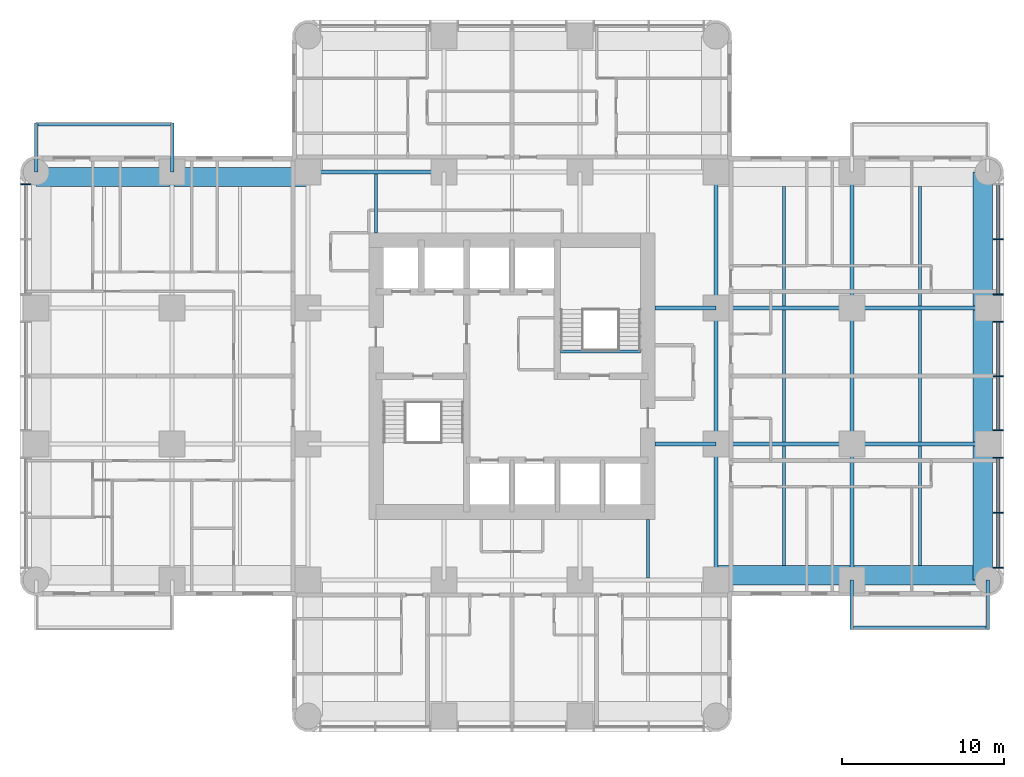
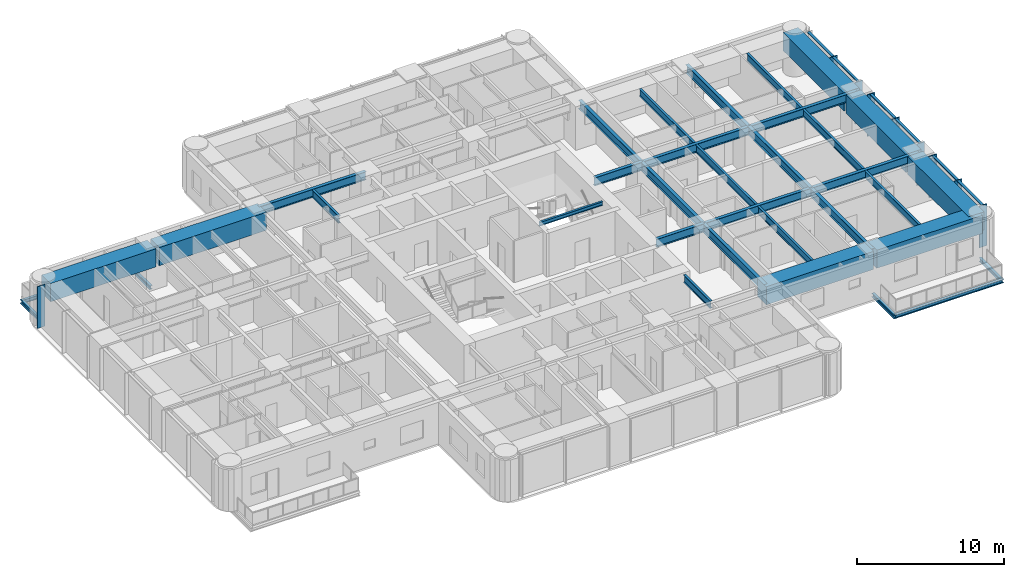
# One storey, part 3 of 14: 35 beams, 15 members, 2 elements without a shape of their own.
"""IFC4 building model written with IfcOpenShell, lengths in metres."""

import ifcopenshell
import ifcopenshell.guid

model = None  # the IFC model being written
_history = None  # IfcOwnerHistory: only IFC2X3 demands one
_inside = {}  # id of a spatial element -> (the spatial element, [elements in it])
_under = {}  # id of a project, library or spatial element -> (it, [spatial elements below it])
_declared = {}  # id of a project -> (the project, [libraries it declares])
_typed = {}  # id of a type object -> (the type object, [elements of that type])
_made_of = {}  # id of a material, layer set ... -> (it, [elements and type objects made of it])


def new_model(schema):
    """Start an empty IFC model of exactly this schema.

    Asked for "IFC4X3", IfcOpenShell would pick the latest addendum, in which some entities
    have other attributes; the version numbers below select the first issue.
    IFC2X3 requires an IfcOwnerHistory on every rooted entity: one is made here for all.
    """
    global model, _history
    if schema == "IFC4X3":
        model = ifcopenshell.file(schema_version=(4, 3, 0, 0))
    else:
        model = ifcopenshell.file(schema=schema)
    _inside.clear()
    _under.clear()
    _declared.clear()
    _typed.clear()
    _made_of.clear()
    _history = None
    if model.schema == "IFC2X3":
        org = make("IfcOrganization", Name="unknown")
        user = make(
            "IfcPersonAndOrganization",
            ThePerson=make("IfcPerson", FamilyName="unknown"),
            TheOrganization=org,
        )
        app = make(
            "IfcApplication",
            ApplicationDeveloper=org,
            Version="unknown",
            ApplicationFullName="unknown",
            ApplicationIdentifier="unknown",
        )
        _history = make(
            "IfcOwnerHistory",
            OwningUser=user,
            OwningApplication=app,
            ChangeAction="ADDED",
            CreationDate=0,
        )
    return model


def make(cls, **values):
    """One entity of the class cls with the attributes given. An attribute that is None is left unset."""
    return model.create_entity(
        cls, **{name: value for name, value in values.items() if value is not None}
    )


def rooted(cls, **values):
    """An entity with a GlobalId (a new one), such as an element, a storey or a relation."""
    return make(cls, GlobalId=ifcopenshell.guid.new(), OwnerHistory=_history, **values)


def si_unit(unit_type, name, prefix=None):
    """IfcSIUnit, for example si_unit("LENGTHUNIT", "METRE", prefix="MILLI")."""
    return make("IfcSIUnit", UnitType=unit_type, Prefix=prefix, Name=name)


def assignment(units):
    """IfcUnitAssignment: the units of a project."""
    return None if units is None else make("IfcUnitAssignment", Units=units)


def point(xyz):
    """IfcCartesianPoint."""
    return None if xyz is None else make("IfcCartesianPoint", Coordinates=xyz)


def direction(xyz):
    """IfcDirection."""
    return None if xyz is None else make("IfcDirection", DirectionRatios=xyz)


def frame(location, z_axis=None, x_axis=None):
    """IfcAxis2Placement3D, a coordinate frame: its origin and axes. An axis left out is left unset."""
    return make(
        "IfcAxis2Placement3D",
        Location=point(location),
        Axis=direction(z_axis),
        RefDirection=direction(x_axis),
    )


def frame_2d(location, x_axis=None):
    """IfcAxis2Placement2D, a coordinate frame in the plane: its origin and x axis."""
    return make(
        "IfcAxis2Placement2D", Location=point(location), RefDirection=direction(x_axis)
    )


def origin():
    """The frame at (0, 0, 0) with its axes left unset."""
    return frame((0.0, 0.0, 0.0))


def origin_2d():
    """The frame at (0, 0) in the plane with its x axis left unset."""
    return frame_2d((0.0, 0.0))


def place(relative_to, where):
    """IfcLocalPlacement: puts the frame where relative to a parent placement (None: the world)."""
    return make(
        "IfcLocalPlacement", PlacementRelTo=relative_to, RelativePlacement=where
    )


def context(
    kind, dimensions, precision=None, world=None, true_north=None, identifier=None
):
    """IfcGeometricRepresentationContext, for example the 3D "Model" context."""
    return make(
        "IfcGeometricRepresentationContext",
        ContextIdentifier=identifier,
        ContextType=kind,
        CoordinateSpaceDimension=dimensions,
        Precision=precision,
        WorldCoordinateSystem=world,
        TrueNorth=true_north,
    )


def subcontext(parent, identifier, kind, view, scale=None):
    """IfcGeometricRepresentationSubContext, for example "Body" below "Model"."""
    return make(
        "IfcGeometricRepresentationSubContext",
        ContextIdentifier=identifier,
        ContextType=kind,
        ParentContext=parent,
        TargetScale=scale,
        TargetView=view,
    )


def project(units=None, contexts=None):
    """IfcProject with its units and contexts."""
    return rooted(
        "IfcProject",
        Name="project",
        RepresentationContexts=contexts,
        UnitsInContext=assignment(units),
    )


def spatial(cls, under=None, at=None, **own):
    """A site, building, storey or space (cls), placed at a placement, below another one or the project."""
    s = rooted(cls, ObjectPlacement=at, **own)
    if under is not None:
        _under.setdefault(under.id(), (under, []))[1].append(s)
    return s


def profile(cls, at=None, kind="AREA", **sizes):
    """A parametric profile (cls). Its sizes go by their IFC names, for example OverallWidth=200.0."""
    return make(cls, ProfileType=kind, Position=at, **sizes)


def rectangle(**sizes):
    """IfcRectangleProfileDef."""
    return profile("IfcRectangleProfileDef", **sizes)


def i_section(**sizes):
    """IfcIShapeProfileDef."""
    return profile("IfcIShapeProfileDef", **sizes)


def extrude(swept, where, along, depth):
    """IfcExtrudedAreaSolid: the profile swept, set in the frame where, extruded along a direction by depth."""
    return make(
        "IfcExtrudedAreaSolid",
        SweptArea=swept,
        Position=where,
        ExtrudedDirection=direction(along),
        Depth=depth,
    )


def shape(context_of_items, identifier, shape_type, items):
    """IfcShapeRepresentation: the items that make up one representation, for example the "Body"."""
    return make(
        "IfcShapeRepresentation",
        ContextOfItems=context_of_items,
        RepresentationIdentifier=identifier,
        RepresentationType=shape_type,
        Items=items,
    )


def material(Name=None, Category=None):
    """IfcMaterial."""
    return make("IfcMaterial", Name=Name, Category=Category)


def material_profile(
    of_material, cross_section, Name=None, Category=None, Priority=None
):
    """IfcMaterialProfile: a cross section and its material."""
    return make(
        "IfcMaterialProfile",
        Name=Name,
        Material=of_material,
        Profile=cross_section,
        Priority=Priority,
        Category=Category,
    )


def profile_set(profiles, Name=None, composite=None):
    """IfcMaterialProfileSet."""
    return make(
        "IfcMaterialProfileSet",
        Name=Name,
        MaterialProfiles=profiles,
        CompositeProfile=composite,
    )


def made_of(thing, what):
    """Note that an element or type object is made of a material, layer set ...; save() writes the relation."""
    if what is not None:
        _made_of.setdefault(what.id(), (what, []))[1].append(thing)
    return thing


def type_object(cls, material=None, **own):
    """A type object (cls), such as IfcWallType, which elements share."""
    return made_of(rooted(cls, **own), material)


def element(
    cls,
    number,
    at=None,
    inside=None,
    cuts=None,
    type_object=None,
    material=None,
    context=None,
    identifier="Body",
    shape_type=None,
    held_by="IfcProductDefinitionShape",
    body=None,
    shapes=None,
    **own,
):
    """One element of the class cls, such as IfcWall. Its Tag is "e" and its number.

    at: its placement. inside: the storey or other place that contains it. cuts: it is an
    opening in that element (IfcRelVoidsElement). A single representation is given by context,
    identifier, shape_type and body (its items); several are given by shapes. held_by: the class
    of the entity that holds the representations. save() writes the other relations.
    """
    e = rooted(cls, Tag="e%d" % number, ObjectPlacement=at, **own)
    if body is not None:
        shapes = [shape(context, identifier, shape_type, body)]
    if shapes is not None:
        e.Representation = make(held_by, Representations=shapes)
    if inside is not None:
        _inside.setdefault(inside.id(), (inside, []))[1].append(e)
    if cuts is not None:
        rooted(
            "IfcRelVoidsElement", RelatingBuildingElement=cuts, RelatedOpeningElement=e
        )
    if type_object is not None:
        _typed.setdefault(type_object.id(), (type_object, []))[1].append(e)
    return made_of(e, material)


def aggregate(whole, parts):
    """IfcRelAggregates: a whole, such as a stair, and the parts it consists of."""
    return rooted("IfcRelAggregates", RelatingObject=whole, RelatedObjects=parts)


def save(model, path):
    """Write the relations noted so far, then the file.

    IfcRelAggregates (storeys below a building ...), IfcRelContainedInSpatialStructure (elements
    in a storey), IfcRelDefinesByType, IfcRelAssociatesMaterial and IfcRelDeclares: one each for
    every whole, place, type object, material and project.
    """
    for whole, parts in _under.values():
        aggregate(whole, parts)
    for where, things in _inside.values():
        rooted(
            "IfcRelContainedInSpatialStructure",
            RelatedElements=things,
            RelatingStructure=where,
        )
    for kind, things in _typed.values():
        rooted("IfcRelDefinesByType", RelatedObjects=things, RelatingType=kind)
    for what, things in _made_of.values():
        rooted("IfcRelAssociatesMaterial", RelatedObjects=things, RelatingMaterial=what)
    for by, libraries in _declared.values():
        rooted("IfcRelDeclares", RelatingContext=by, RelatedDefinitions=libraries)
    model.write(path)


model = new_model("IFC4")

# Units and contexts
model_context = context("Model", 3, precision=1e-05, world=origin(), true_north=direction((0.0, 1.0)))
body_context = subcontext(model_context, "Body", "Model", "MODEL_VIEW")
ifc_project = project(units=[si_unit("LENGTHUNIT", "METRE"), si_unit("AREAUNIT", "SQUARE_METRE"), si_unit("VOLUMEUNIT", "CUBIC_METRE"), si_unit("PLANEANGLEUNIT", "RADIAN"), si_unit("MASSUNIT", "GRAM", prefix="KILO")], contexts=[model_context])

# Site, building, storey
site_placement = place(None, origin())
site = spatial("IfcSite", under=ifc_project, at=site_placement, CompositionType="ELEMENT")
building_placement = place(site_placement, origin())
building = spatial("IfcBuilding", under=site, at=building_placement, Name="Torre Alcanfor", CompositionType="ELEMENT")
storey_placement = place(building_placement, frame((0.0, 0.0, 159.300048828125)))
storey = spatial("IfcBuildingStorey", under=building, at=storey_placement, Name="L41", CompositionType="ELEMENT", Elevation=159.300048828125)

# Beams
ifc_material_1 = material(Name="Steel ASTM A992 Grade 50", Category="steel")
ifc_material_profile_1 = material_profile(ifc_material_1, i_section(OverallWidth=0.205322265625, OverallDepth=0.309814453125, WebThickness=0.00927734375, FlangeThickness=0.016357421875, at=origin_2d()), Name="W12x50")
ifc_profile_set_1 = profile_set([ifc_material_profile_1], Name="Steel ASTM A992 Grade 50")
beam_type_1 = type_object("IfcBeamType", Name="Balcony cantilever beam W12x50", PredefinedType="BEAM", material=ifc_profile_set_1)
for number, where, z_axis, x_axis, name in (
    (1, (50.39990234375, 16.800048828125, -0.35498046875), (0.0, -1.0, 0.0), (1.0, 0.0, 0.0), "Balcony cantilever beam L41-E2 1"),
    (2, (58.800048828125, 16.800048828125, -0.35498046875), (0.0, -1.0, 0.0), (1.0, 0.0, 0.0), "Balcony cantilever beam L41-E2 2"),
    (3, (8.39990234375, 42.0, -0.35498046875), (0.0, 1.0, 0.0), (-1.0, 0.0, 0.0), "Balcony cantilever beam L41-W2 1"),
    (4, (0.0, 42.0, -0.35498046875), (0.0, 1.0, 0.0), (-1.0, 0.0, 0.0), "Balcony cantilever beam L41-W2 2"),
):
    element("IfcBeam", number, at=place(storey_placement, frame(where, z_axis=z_axis, x_axis=x_axis)), inside=storey, type_object=beam_type_1, Name=name, PredefinedType="BEAM", context=body_context, shape_type="SweptSolid", body=[
        extrude(i_section(OverallWidth=0.205322265625, OverallDepth=0.309814453125, WebThickness=0.00927734375, FlangeThickness=0.016357421875, at=origin_2d()), origin(), (0.0, 0.0, 1.0), 3.050048828125),
    ])
ifc_material_2 = material(Name="Steel ASTM A992 Grade 50", Category="steel")
ifc_material_profile_2 = material_profile(ifc_material_2, i_section(OverallWidth=0.203369140625, OverallDepth=0.30224609375, WebThickness=0.007568359375, FlangeThickness=0.01318359375, at=origin_2d()), Name="W12x40")
ifc_profile_set_2 = profile_set([ifc_material_profile_2], Name="Steel ASTM A992 Grade 50")
beam_type_2 = type_object("IfcBeamType", Name="Balcony edge trimmer W12x40", PredefinedType="BEAM", material=ifc_profile_set_2)
beam_1_placement = place(storey_placement, frame((50.39990234375, 13.851806640625, -0.35107421875), z_axis=(1.0, 0.0, 0.0), x_axis=(0.0, 1.0, 0.0)))
element("IfcBeam", 5, at=beam_1_placement, inside=storey, type_object=beam_type_2, Name="Balcony edge trimmer L41-E2", PredefinedType="BEAM", context=body_context, shape_type="SweptSolid", body=[
    extrude(i_section(OverallWidth=0.203369140625, OverallDepth=0.30224609375, WebThickness=0.007568359375, FlangeThickness=0.01318359375, at=origin_2d()), origin(), (0.0, 0.0, 1.0), 8.400146484375),
])
beam_2_placement = place(storey_placement, frame((8.39990234375, 44.9482421875, -0.35107421875), z_axis=(-1.0, 0.0, 0.0), x_axis=(0.0, -1.0, 0.0)))
element("IfcBeam", 6, at=beam_2_placement, inside=storey, type_object=beam_type_2, Name="Balcony edge trimmer L41-W2", PredefinedType="BEAM", context=body_context, shape_type="SweptSolid", body=[
    extrude(i_section(OverallWidth=0.203369140625, OverallDepth=0.30224609375, WebThickness=0.007568359375, FlangeThickness=0.01318359375, at=origin_2d()), origin(), (0.0, 0.0, 1.0), 8.39990234375),
])

# Curtain wall, member
ifc_material_3 = material(Name="Aluminium and glass", Category="aluminium")
curtain_wall_type = type_object("IfcCurtainWallType", Name="CW-A unitised apartment glazing with vertical FIN", PredefinedType="NOTDEFINED", material=ifc_material_3)
curtain_wall_1_placement = place(storey_placement, origin())
curtain_wall_1 = element("IfcCurtainWall", 7, at=curtain_wall_1_placement, inside=storey, type_object=curtain_wall_type, Name="Curtain wall CW-A L41 2", PredefinedType="NOTDEFINED")
ifc_material_4 = material(Name="Bronze anodised aluminium", Category="aluminium")
ifc_material_profile_3 = material_profile(ifc_material_4, rectangle(XDim=0.60009765625, YDim=0.06494140625, at=origin_2d()), Name="CW-A mullion 65x600")
ifc_profile_set_3 = profile_set([ifc_material_profile_3], Name="Bronze anodised aluminium")
member_type_1 = type_object("IfcMemberType", Name="CW-A mullion with vertical FIN 65x600", PredefinedType="MULLION", material=ifc_profile_set_3)
member_1_placement = place(storey_placement, frame((-0.64990234375, 41.24267578125, 0.0), z_axis=(0.0, 0.0, 1.0), x_axis=(1.0, 0.0, 0.0)))
member_1 = element("IfcMember", 8, at=member_1_placement, type_object=member_type_1, Name="CW-A mullion 1.1", PredefinedType="MULLION", context=body_context, shape_type="SweptSolid", body=[
    extrude(rectangle(XDim=0.60009765625, YDim=0.06494140625, at=origin_2d()), origin(), (0.0, 0.0, 1.0), 3.449951171875),
])
aggregate(curtain_wall_1, [member_1])

# Curtain wall, members
curtain_wall_2_placement = place(storey_placement, origin())
curtain_wall_2 = element("IfcCurtainWall", 9, at=curtain_wall_2_placement, inside=storey, type_object=curtain_wall_type, Name="Curtain wall CW-A L41 8", PredefinedType="NOTDEFINED")
member_2_placement = place(storey_placement, frame((59.449951171875, 17.557373046875, 0.0), z_axis=(0.0, 0.0, 1.0), x_axis=(-1.0, 0.0, 0.0)))
member_2 = element("IfcMember", 10, at=member_2_placement, type_object=member_type_1, Name="CW-A mullion 1.1", PredefinedType="MULLION", context=body_context, shape_type="SweptSolid", body=[
    extrude(rectangle(XDim=0.60009765625, YDim=0.06494140625, at=origin_2d()), origin(), (0.0, 0.0, 1.0), 3.449951171875),
])
member_3_placement = place(storey_placement, frame((59.449951171875, 20.9599609375, 0.0), z_axis=(0.0, 0.0, 1.0), x_axis=(-1.0, 0.0, 0.0)))
member_3 = element("IfcMember", 11, at=member_3_placement, type_object=member_type_1, Name="CW-A mullion 1.2", PredefinedType="MULLION", context=body_context, shape_type="SweptSolid", body=[
    extrude(rectangle(XDim=0.60009765625, YDim=0.06494140625, at=origin_2d()), origin(), (0.0, 0.0, 1.0), 3.449951171875),
])
member_4_placement = place(storey_placement, frame((59.449951171875, 24.362548828125, 0.0), z_axis=(0.0, 0.0, 1.0), x_axis=(-1.0, 0.0, 0.0)))
member_4 = element("IfcMember", 12, at=member_4_placement, type_object=member_type_1, Name="CW-A mullion 1.3", PredefinedType="MULLION", context=body_context, shape_type="SweptSolid", body=[
    extrude(rectangle(XDim=0.60009765625, YDim=0.06494140625, at=origin_2d()), origin(), (0.0, 0.0, 1.0), 3.449951171875),
])
member_5_placement = place(storey_placement, frame((59.449951171875, 26.03759765625, 0.0), z_axis=(0.0, 0.0, 1.0), x_axis=(-1.0, 0.0, 0.0)))
member_5 = element("IfcMember", 13, at=member_5_placement, type_object=member_type_1, Name="CW-A mullion 2.1", PredefinedType="MULLION", context=body_context, shape_type="SweptSolid", body=[
    extrude(rectangle(XDim=0.60009765625, YDim=0.06494140625, at=origin_2d()), origin(), (0.0, 0.0, 1.0), 3.449951171875),
])
member_6_placement = place(storey_placement, frame((59.449951171875, 29.39990234375, 0.0), z_axis=(0.0, 0.0, 1.0), x_axis=(-1.0, 0.0, 0.0)))
member_6 = element("IfcMember", 14, at=member_6_placement, type_object=member_type_1, Name="CW-A mullion 2.2", PredefinedType="MULLION", context=body_context, shape_type="SweptSolid", body=[
    extrude(rectangle(XDim=0.60009765625, YDim=0.06494140625, at=origin_2d()), origin(), (0.0, 0.0, 1.0), 3.449951171875),
])
member_7_placement = place(storey_placement, frame((59.449951171875, 32.762451171875, 0.0), z_axis=(0.0, 0.0, 1.0), x_axis=(-1.0, 0.0, 0.0)))
member_7 = element("IfcMember", 15, at=member_7_placement, type_object=member_type_1, Name="CW-A mullion 2.3", PredefinedType="MULLION", context=body_context, shape_type="SweptSolid", body=[
    extrude(rectangle(XDim=0.60009765625, YDim=0.06494140625, at=origin_2d()), origin(), (0.0, 0.0, 1.0), 3.449951171875),
])
member_8_placement = place(storey_placement, frame((59.449951171875, 34.4375, 0.0), z_axis=(0.0, 0.0, 1.0), x_axis=(-1.0, 0.0, 0.0)))
member_8 = element("IfcMember", 16, at=member_8_placement, type_object=member_type_1, Name="CW-A mullion 3.1", PredefinedType="MULLION", context=body_context, shape_type="SweptSolid", body=[
    extrude(rectangle(XDim=0.60009765625, YDim=0.06494140625, at=origin_2d()), origin(), (0.0, 0.0, 1.0), 3.449951171875),
])
member_9_placement = place(storey_placement, frame((59.449951171875, 37.840087890625, 0.0), z_axis=(0.0, 0.0, 1.0), x_axis=(-1.0, 0.0, 0.0)))
member_9 = element("IfcMember", 17, at=member_9_placement, type_object=member_type_1, Name="CW-A mullion 3.2", PredefinedType="MULLION", context=body_context, shape_type="SweptSolid", body=[
    extrude(rectangle(XDim=0.60009765625, YDim=0.06494140625, at=origin_2d()), origin(), (0.0, 0.0, 1.0), 3.449951171875),
])
ifc_material_5 = material(Name="Extruded aluminium", Category="aluminium")
ifc_material_profile_4 = material_profile(ifc_material_5, rectangle(XDim=0.199951171875, YDim=0.06494140625, at=origin_2d()), Name="CW-A transom 200x65")
ifc_profile_set_4 = profile_set([ifc_material_profile_4], Name="Extruded aluminium")
member_type_2 = type_object("IfcMemberType", Name="CW-A transom 65x200", PredefinedType="USERDEFINED", material=ifc_profile_set_4)
member_10_placement = place(storey_placement, frame((59.449951171875, 17.58984375, 3.41748046875), z_axis=(0.0, 1.0, 0.0), x_axis=(-1.0, 0.0, 0.0)))
member_10 = element("IfcMember", 18, at=member_10_placement, type_object=member_type_2, Name="CW-A transom 1.1.2", ObjectType="TRANSOM", PredefinedType="USERDEFINED", context=body_context, shape_type="SweptSolid", body=[
    extrude(rectangle(XDim=0.199951171875, YDim=0.06494140625, at=origin_2d()), origin(), (0.0, 0.0, 1.0), 3.337646484375),
])
member_11_placement = place(storey_placement, frame((59.449951171875, 20.992431640625, 3.41748046875), z_axis=(0.0, 1.0, 0.0), x_axis=(-1.0, 0.0, 0.0)))
member_11 = element("IfcMember", 19, at=member_11_placement, type_object=member_type_2, Name="CW-A transom 1.2.2", ObjectType="TRANSOM", PredefinedType="USERDEFINED", context=body_context, shape_type="SweptSolid", body=[
    extrude(rectangle(XDim=0.199951171875, YDim=0.06494140625, at=origin_2d()), origin(), (0.0, 0.0, 1.0), 3.337646484375),
])
member_12_placement = place(storey_placement, frame((59.449951171875, 26.070068359375, 3.41748046875), z_axis=(0.0, 1.0, 0.0), x_axis=(-1.0, 0.0, 0.0)))
member_12 = element("IfcMember", 20, at=member_12_placement, type_object=member_type_2, Name="CW-A transom 2.1.2", ObjectType="TRANSOM", PredefinedType="USERDEFINED", context=body_context, shape_type="SweptSolid", body=[
    extrude(rectangle(XDim=0.199951171875, YDim=0.06494140625, at=origin_2d()), origin(), (0.0, 0.0, 1.0), 3.29736328125),
])
member_13_placement = place(storey_placement, frame((59.449951171875, 29.4326171875, 3.41748046875), z_axis=(0.0, 1.0, 0.0), x_axis=(-1.0, 0.0, 0.0)))
member_13 = element("IfcMember", 21, at=member_13_placement, type_object=member_type_2, Name="CW-A transom 2.2.2", ObjectType="TRANSOM", PredefinedType="USERDEFINED", context=body_context, shape_type="SweptSolid", body=[
    extrude(rectangle(XDim=0.199951171875, YDim=0.06494140625, at=origin_2d()), origin(), (0.0, 0.0, 1.0), 3.29736328125),
])
member_14_placement = place(storey_placement, frame((59.449951171875, 34.469970703125, 3.41748046875), z_axis=(0.0, 1.0, 0.0), x_axis=(-1.0, 0.0, 0.0)))
member_14 = element("IfcMember", 22, at=member_14_placement, type_object=member_type_2, Name="CW-A transom 3.1.2", ObjectType="TRANSOM", PredefinedType="USERDEFINED", context=body_context, shape_type="SweptSolid", body=[
    extrude(rectangle(XDim=0.199951171875, YDim=0.06494140625, at=origin_2d()), origin(), (0.0, 0.0, 1.0), 3.337646484375),
])
member_15_placement = place(storey_placement, frame((59.449951171875, 37.87255859375, 3.41748046875), z_axis=(0.0, 1.0, 0.0), x_axis=(-1.0, 0.0, 0.0)))
member_15 = element("IfcMember", 23, at=member_15_placement, type_object=member_type_2, Name="CW-A transom 3.2.2", ObjectType="TRANSOM", PredefinedType="USERDEFINED", context=body_context, shape_type="SweptSolid", body=[
    extrude(rectangle(XDim=0.199951171875, YDim=0.06494140625, at=origin_2d()), origin(), (0.0, 0.0, 1.0), 3.337646484375),
])
aggregate(curtain_wall_2, [member_2, member_3, member_4, member_10, member_11, member_5, member_6, member_7, member_12, member_13, member_8, member_9, member_14, member_15])

# Beams
ifc_material_6 = material(Name="Steel ASTM A992 Grade 50", Category="steel")
ifc_material_profile_5 = material_profile(ifc_material_6, i_section(OverallWidth=0.25390625, OverallDepth=0.683349609375, WebThickness=0.012451171875, FlangeThickness=0.01904296875, at=origin_2d()), Name="W27x94")
ifc_profile_set_5 = profile_set([ifc_material_profile_5], Name="Steel ASTM A992 Grade 50")
beam_type_3 = type_object("IfcBeamType", Name="Girder W27x94", PredefinedType="BEAM", material=ifc_profile_set_5)
beam_3_placement = place(storey_placement, frame((42.0, 25.199951171875, 3.1083984375), z_axis=(1.0, 0.0, 0.0), x_axis=(0.0, 1.0, 0.0)))
element("IfcBeam", 24, at=beam_3_placement, inside=storey, type_object=beam_type_3, Name="Beam 6F-7F under L42", PredefinedType="BEAM", context=body_context, shape_type="SweptSolid", body=[
    extrude(i_section(OverallWidth=0.25390625, OverallDepth=0.683349609375, WebThickness=0.012451171875, FlangeThickness=0.01904296875, at=origin_2d()), origin(), (0.0, 0.0, 1.0), 8.39990234375),
])
beam_4_placement = place(storey_placement, frame((50.39990234375, 25.199951171875, 3.1083984375), z_axis=(1.0, 0.0, 0.0), x_axis=(0.0, 1.0, 0.0)))
element("IfcBeam", 25, at=beam_4_placement, inside=storey, type_object=beam_type_3, Name="Beam 7F-8F under L42", PredefinedType="BEAM", context=body_context, shape_type="SweptSolid", body=[
    extrude(i_section(OverallWidth=0.25390625, OverallDepth=0.683349609375, WebThickness=0.012451171875, FlangeThickness=0.01904296875, at=origin_2d()), origin(), (0.0, 0.0, 1.0), 8.400146484375),
])
beam_5_placement = place(storey_placement, frame((42.0, 33.60009765625, 3.1083984375), z_axis=(1.0, 0.0, 0.0), x_axis=(0.0, 1.0, 0.0)))
element("IfcBeam", 26, at=beam_5_placement, inside=storey, type_object=beam_type_3, Name="Beam 6G-7G under L42", PredefinedType="BEAM", context=body_context, shape_type="SweptSolid", body=[
    extrude(i_section(OverallWidth=0.25390625, OverallDepth=0.683349609375, WebThickness=0.012451171875, FlangeThickness=0.01904296875, at=origin_2d()), origin(), (0.0, 0.0, 1.0), 8.39990234375),
])
beam_6_placement = place(storey_placement, frame((50.39990234375, 33.60009765625, 3.1083984375), z_axis=(1.0, 0.0, 0.0), x_axis=(0.0, 1.0, 0.0)))
element("IfcBeam", 27, at=beam_6_placement, inside=storey, type_object=beam_type_3, Name="Beam 7G-8G under L42", PredefinedType="BEAM", context=body_context, shape_type="SweptSolid", body=[
    extrude(i_section(OverallWidth=0.25390625, OverallDepth=0.683349609375, WebThickness=0.012451171875, FlangeThickness=0.01904296875, at=origin_2d()), origin(), (0.0, 0.0, 1.0), 8.400146484375),
])
for number, where, z_axis, x_axis, name in (
    (28, (16.800048828125, 42.0, 3.1083984375), (1.0, 0.0, 0.0), (0.0, 1.0, 0.0), "Beam 3H-4H under L42"),
    (29, (42.0, 16.800048828125, 3.1083984375), (0.0, 1.0, 0.0), (-1.0, 0.0, 0.0), "Beam 6E-6F under L42"),
):
    element("IfcBeam", number, at=place(storey_placement, frame(where, z_axis=z_axis, x_axis=x_axis)), inside=storey, type_object=beam_type_3, Name=name, PredefinedType="BEAM", context=body_context, shape_type="SweptSolid", body=[
        extrude(i_section(OverallWidth=0.25390625, OverallDepth=0.683349609375, WebThickness=0.012451171875, FlangeThickness=0.01904296875, at=origin_2d()), origin(), (0.0, 0.0, 1.0), 8.39990234375),
    ])
beam_7_placement = place(storey_placement, frame((42.0, 25.199951171875, 3.1083984375), z_axis=(0.0, 1.0, 0.0), x_axis=(-1.0, 0.0, 0.0)))
element("IfcBeam", 30, at=beam_7_placement, inside=storey, type_object=beam_type_3, Name="Beam 6F-6G under L42", PredefinedType="BEAM", context=body_context, shape_type="SweptSolid", body=[
    extrude(i_section(OverallWidth=0.25390625, OverallDepth=0.683349609375, WebThickness=0.012451171875, FlangeThickness=0.01904296875, at=origin_2d()), origin(), (0.0, 0.0, 1.0), 8.400146484375),
])
for number, where, z_axis, x_axis, name in (
    (31, (42.0, 33.60009765625, 3.1083984375), (0.0, 1.0, 0.0), (-1.0, 0.0, 0.0), "Beam 6G-6H under L42"),
    (32, (50.39990234375, 16.800048828125, 3.1083984375), (0.0, 1.0, 0.0), (-1.0, 0.0, 0.0), "Beam 7E-7F under L42"),
):
    element("IfcBeam", number, at=place(storey_placement, frame(where, z_axis=z_axis, x_axis=x_axis)), inside=storey, type_object=beam_type_3, Name=name, PredefinedType="BEAM", context=body_context, shape_type="SweptSolid", body=[
        extrude(i_section(OverallWidth=0.25390625, OverallDepth=0.683349609375, WebThickness=0.012451171875, FlangeThickness=0.01904296875, at=origin_2d()), origin(), (0.0, 0.0, 1.0), 8.39990234375),
    ])
beam_8_placement = place(storey_placement, frame((50.39990234375, 25.199951171875, 3.1083984375), z_axis=(0.0, 1.0, 0.0), x_axis=(-1.0, 0.0, 0.0)))
element("IfcBeam", 33, at=beam_8_placement, inside=storey, type_object=beam_type_3, Name="Beam 7F-7G under L42", PredefinedType="BEAM", context=body_context, shape_type="SweptSolid", body=[
    extrude(i_section(OverallWidth=0.25390625, OverallDepth=0.683349609375, WebThickness=0.012451171875, FlangeThickness=0.01904296875, at=origin_2d()), origin(), (0.0, 0.0, 1.0), 8.400146484375),
])
beam_9_placement = place(storey_placement, frame((50.39990234375, 33.60009765625, 3.1083984375), z_axis=(0.0, 1.0, 0.0), x_axis=(-1.0, 0.0, 0.0)))
element("IfcBeam", 34, at=beam_9_placement, inside=storey, type_object=beam_type_3, Name="Beam 7G-7H under L42", PredefinedType="BEAM", context=body_context, shape_type="SweptSolid", body=[
    extrude(i_section(OverallWidth=0.25390625, OverallDepth=0.683349609375, WebThickness=0.012451171875, FlangeThickness=0.01904296875, at=origin_2d()), origin(), (0.0, 0.0, 1.0), 8.39990234375),
])
ifc_material_7 = material(Name="Steel ASTM A992 Grade 50", Category="steel")
ifc_material_profile_6 = material_profile(ifc_material_7, i_section(OverallWidth=0.25390625, OverallDepth=0.683349609375, WebThickness=0.012451171875, FlangeThickness=0.01904296875, at=origin_2d()), Name="W27x94")
ifc_profile_set_6 = profile_set([ifc_material_profile_6], Name="Steel ASTM A992 Grade 50")
beam_type_4 = type_object("IfcBeamType", Name="Girder, part bay W27x94", PredefinedType="BEAM", material=ifc_profile_set_6)
for number, where, z_axis, x_axis, name in (
    (35, (42.0, 25.199951171875, 3.1083984375), (-1.0, 0.0, 0.0), (0.0, -1.0, 0.0), "Beam 6F-38_25F under L42"),
    (36, (42.0, 33.60009765625, 3.1083984375), (-1.0, 0.0, 0.0), (0.0, -1.0, 0.0), "Beam 6G-38_25G under L42"),
):
    element("IfcBeam", number, at=place(storey_placement, frame(where, z_axis=z_axis, x_axis=x_axis)), inside=storey, type_object=beam_type_4, Name=name, PredefinedType="BEAM", context=body_context, shape_type="SweptSolid", body=[
        extrude(i_section(OverallWidth=0.25390625, OverallDepth=0.683349609375, WebThickness=0.012451171875, FlangeThickness=0.01904296875, at=origin_2d()), origin(), (0.0, 0.0, 1.0), 3.75),
    ])
ifc_material_8 = material(Name="Concrete f'c 70 MPa", Category="concrete")
ifc_material_profile_7 = material_profile(ifc_material_8, rectangle(XDim=1.199951171875, YDim=1.5, at=origin_2d()), Name="1200x1500")
ifc_profile_set_7 = profile_set([ifc_material_profile_7], Name="Concrete f'c 70 MPa")
beam_type_5 = type_object("IfcBeamType", Name="RC perimeter beam 1200x1500", PredefinedType="BEAM", material=ifc_profile_set_7)
beam_10_placement = place(storey_placement, frame((41.873046875, 17.10009765625, 2.699951171875), z_axis=(1.0, 0.0, 0.0), x_axis=(0.0, 1.0, 0.0)))
element("IfcBeam", 37, at=beam_10_placement, inside=storey, type_object=beam_type_5, Name="Beam 6E-7E under L42", PredefinedType="BEAM", context=body_context, shape_type="SweptSolid", body=[
    extrude(rectangle(XDim=1.199951171875, YDim=1.5, at=origin_2d()), origin(), (0.0, 0.0, 1.0), 8.39990234375),
])
for number, where, z_axis, x_axis, name in (
    (38, (50.527099609375, 17.10009765625, 2.699951171875), (1.0, 0.0, 0.0), (0.0, 1.0, 0.0), "Beam 7E-8E under L42"),
    (39, (0.0, 41.699951171875, 2.699951171875), (1.0, 0.0, 0.0), (0.0, 1.0, 0.0), "Beam 1H-2H under L42"),
):
    element("IfcBeam", number, at=place(storey_placement, frame(where, z_axis=z_axis, x_axis=x_axis)), inside=storey, type_object=beam_type_5, Name=name, PredefinedType="BEAM", context=body_context, shape_type="SweptSolid", body=[
        extrude(rectangle(XDim=1.199951171875, YDim=1.5, at=origin_2d()), origin(), (0.0, 0.0, 1.0), 8.27294921875),
    ])
beam_11_placement = place(storey_placement, frame((8.527099609375, 41.699951171875, 2.699951171875), z_axis=(1.0, 0.0, 0.0), x_axis=(0.0, 1.0, 0.0)))
element("IfcBeam", 40, at=beam_11_placement, inside=storey, type_object=beam_type_5, Name="Beam 2H-3H under L42", PredefinedType="BEAM", context=body_context, shape_type="SweptSolid", body=[
    extrude(rectangle(XDim=1.199951171875, YDim=1.5, at=origin_2d()), origin(), (0.0, 0.0, 1.0), 8.39990234375),
])
beam_12_placement = place(storey_placement, frame((58.5, 16.800048828125, 2.699951171875), z_axis=(0.0, 1.0, 0.0), x_axis=(-1.0, 0.0, 0.0)))
element("IfcBeam", 41, at=beam_12_placement, inside=storey, type_object=beam_type_5, Name="Beam 8E-8F under L42", PredefinedType="BEAM", context=body_context, shape_type="SweptSolid", body=[
    extrude(rectangle(XDim=1.199951171875, YDim=1.5, at=origin_2d()), origin(), (0.0, 0.0, 1.0), 8.27294921875),
])
beam_13_placement = place(storey_placement, frame((58.5, 25.326904296875, 2.699951171875), z_axis=(0.0, 1.0, 0.0), x_axis=(-1.0, 0.0, 0.0)))
element("IfcBeam", 42, at=beam_13_placement, inside=storey, type_object=beam_type_5, Name="Beam 8F-8G under L42", PredefinedType="BEAM", context=body_context, shape_type="SweptSolid", body=[
    extrude(rectangle(XDim=1.199951171875, YDim=1.5, at=origin_2d()), origin(), (0.0, 0.0, 1.0), 8.14599609375),
])
beam_14_placement = place(storey_placement, frame((58.5, 33.72705078125, 2.699951171875), z_axis=(0.0, 1.0, 0.0), x_axis=(-1.0, 0.0, 0.0)))
element("IfcBeam", 43, at=beam_14_placement, inside=storey, type_object=beam_type_5, Name="Beam 8G-8H under L42", PredefinedType="BEAM", context=body_context, shape_type="SweptSolid", body=[
    extrude(rectangle(XDim=1.199951171875, YDim=1.5, at=origin_2d()), origin(), (0.0, 0.0, 1.0), 8.27294921875),
])
ifc_material_9 = material(Name="Steel ASTM A992 Grade 50", Category="steel")
ifc_material_profile_8 = material_profile(ifc_material_9, i_section(OverallWidth=0.1787109375, OverallDepth=0.60205078125, WebThickness=0.010986328125, FlangeThickness=0.014892578125, at=origin_2d()), Name="W24x62")
ifc_profile_set_8 = profile_set([ifc_material_profile_8], Name="Steel ASTM A992 Grade 50")
beam_type_6 = type_object("IfcBeamType", Name="Secondary beam W24x62", PredefinedType="BEAM", material=ifc_profile_set_8)
beam_15_placement = place(storey_placement, frame((46.199951171875, 17.699951171875, 3.14892578125), z_axis=(0.0, 1.0, 0.0), x_axis=(-1.0, 0.0, 0.0)))
element("IfcBeam", 44, at=beam_15_placement, inside=storey, type_object=beam_type_6, Name="Beam 46_2E-46_2F under L42", PredefinedType="BEAM", context=body_context, shape_type="SweptSolid", body=[
    extrude(i_section(OverallWidth=0.1787109375, OverallDepth=0.60205078125, WebThickness=0.010986328125, FlangeThickness=0.014892578125, at=origin_2d()), origin(), (0.0, 0.0, 1.0), 7.373046875),
])
beam_16_placement = place(storey_placement, frame((46.199951171875, 25.326904296875, 3.14892578125), z_axis=(0.0, 1.0, 0.0), x_axis=(-1.0, 0.0, 0.0)))
element("IfcBeam", 45, at=beam_16_placement, inside=storey, type_object=beam_type_6, Name="Beam 46_2F-46_2G under L42", PredefinedType="BEAM", context=body_context, shape_type="SweptSolid", body=[
    extrude(i_section(OverallWidth=0.1787109375, OverallDepth=0.60205078125, WebThickness=0.010986328125, FlangeThickness=0.014892578125, at=origin_2d()), origin(), (0.0, 0.0, 1.0), 8.14599609375),
])
for number, where, z_axis, x_axis, name in (
    (46, (46.199951171875, 33.72705078125, 3.14892578125), (0.0, 1.0, 0.0), (-1.0, 0.0, 0.0), "Beam 46_2G-46_2H under L42"),
    (47, (54.60009765625, 17.699951171875, 3.14892578125), (0.0, 1.0, 0.0), (-1.0, 0.0, 0.0), "Beam 54_6E-54_6F under L42"),
):
    element("IfcBeam", number, at=place(storey_placement, frame(where, z_axis=z_axis, x_axis=x_axis)), inside=storey, type_object=beam_type_6, Name=name, PredefinedType="BEAM", context=body_context, shape_type="SweptSolid", body=[
        extrude(i_section(OverallWidth=0.1787109375, OverallDepth=0.60205078125, WebThickness=0.010986328125, FlangeThickness=0.014892578125, at=origin_2d()), origin(), (0.0, 0.0, 1.0), 7.373046875),
    ])
beam_17_placement = place(storey_placement, frame((54.60009765625, 25.326904296875, 3.14892578125), z_axis=(0.0, 1.0, 0.0), x_axis=(-1.0, 0.0, 0.0)))
element("IfcBeam", 48, at=beam_17_placement, inside=storey, type_object=beam_type_6, Name="Beam 54_6F-54_6G under L42", PredefinedType="BEAM", context=body_context, shape_type="SweptSolid", body=[
    extrude(i_section(OverallWidth=0.1787109375, OverallDepth=0.60205078125, WebThickness=0.010986328125, FlangeThickness=0.014892578125, at=origin_2d()), origin(), (0.0, 0.0, 1.0), 8.14599609375),
])
beam_18_placement = place(storey_placement, frame((54.60009765625, 33.72705078125, 3.14892578125), z_axis=(0.0, 1.0, 0.0), x_axis=(-1.0, 0.0, 0.0)))
element("IfcBeam", 49, at=beam_18_placement, inside=storey, type_object=beam_type_6, Name="Beam 54_6G-54_6H under L42", PredefinedType="BEAM", context=body_context, shape_type="SweptSolid", body=[
    extrude(i_section(OverallWidth=0.1787109375, OverallDepth=0.60205078125, WebThickness=0.010986328125, FlangeThickness=0.014892578125, at=origin_2d()), origin(), (0.0, 0.0, 1.0), 7.373046875),
])
ifc_material_10 = material(Name="Steel ASTM A992 Grade 50", Category="steel")
ifc_material_profile_9 = material_profile(ifc_material_10, i_section(OverallWidth=0.1787109375, OverallDepth=0.60205078125, WebThickness=0.010986328125, FlangeThickness=0.014892578125, at=origin_2d()), Name="W24x62")
ifc_profile_set_9 = profile_set([ifc_material_profile_9], Name="Steel ASTM A992 Grade 50")
beam_type_7 = type_object("IfcBeamType", Name="Secondary beam, part bay W24x62", PredefinedType="BEAM", material=ifc_profile_set_9)
for number, where, z_axis, x_axis, name in (
    (50, (21.0, 38.25, 3.14892578125), (0.0, 1.0, 0.0), (-1.0, 0.0, 0.0), "Beam 2138_25-21H under L42"),
    (51, (37.800048828125, 16.927001953125, 3.14892578125), (0.0, 1.0, 0.0), (-1.0, 0.0, 0.0), "Beam 37_8E-37_820_55 under L42"),
):
    element("IfcBeam", number, at=place(storey_placement, frame(where, z_axis=z_axis, x_axis=x_axis)), inside=storey, type_object=beam_type_7, Name=name, PredefinedType="BEAM", context=body_context, shape_type="SweptSolid", body=[
        extrude(i_section(OverallWidth=0.1787109375, OverallDepth=0.60205078125, WebThickness=0.010986328125, FlangeThickness=0.014892578125, at=origin_2d()), origin(), (0.0, 0.0, 1.0), 3.623046875),
    ])
ifc_material_11 = material(Name="Steel ASTM A992 Grade 50", Category="steel")
ifc_material_profile_10 = material_profile(ifc_material_11, i_section(OverallWidth=0.164794921875, OverallDepth=0.309814453125, WebThickness=0.005859375, FlangeThickness=0.009765625, at=origin_2d()), Name="W12x26")
ifc_profile_set_10 = profile_set([ifc_material_profile_10], Name="Steel ASTM A992 Grade 50")
beam_type_8 = type_object("IfcBeamType", Name="Stair landing beam W12x26", PredefinedType="BEAM", material=ifc_profile_set_10)
beam_19_placement = place(storey_placement, frame((32.39990234375, 30.91259765625, 3.2451171875), z_axis=(1.0, 0.0, 0.0), x_axis=(0.0, 1.0, 0.0)))
element("IfcBeam", 52, at=beam_19_placement, inside=storey, type_object=beam_type_8, Name="Landing trimmer S2 L42", PredefinedType="BEAM", context=body_context, shape_type="SweptSolid", body=[
    extrude(i_section(OverallWidth=0.164794921875, OverallDepth=0.309814453125, WebThickness=0.005859375, FlangeThickness=0.009765625, at=origin_2d()), origin(), (0.0, 0.0, 1.0), 4.9501953125),
])

save(model, "model.ifc")
